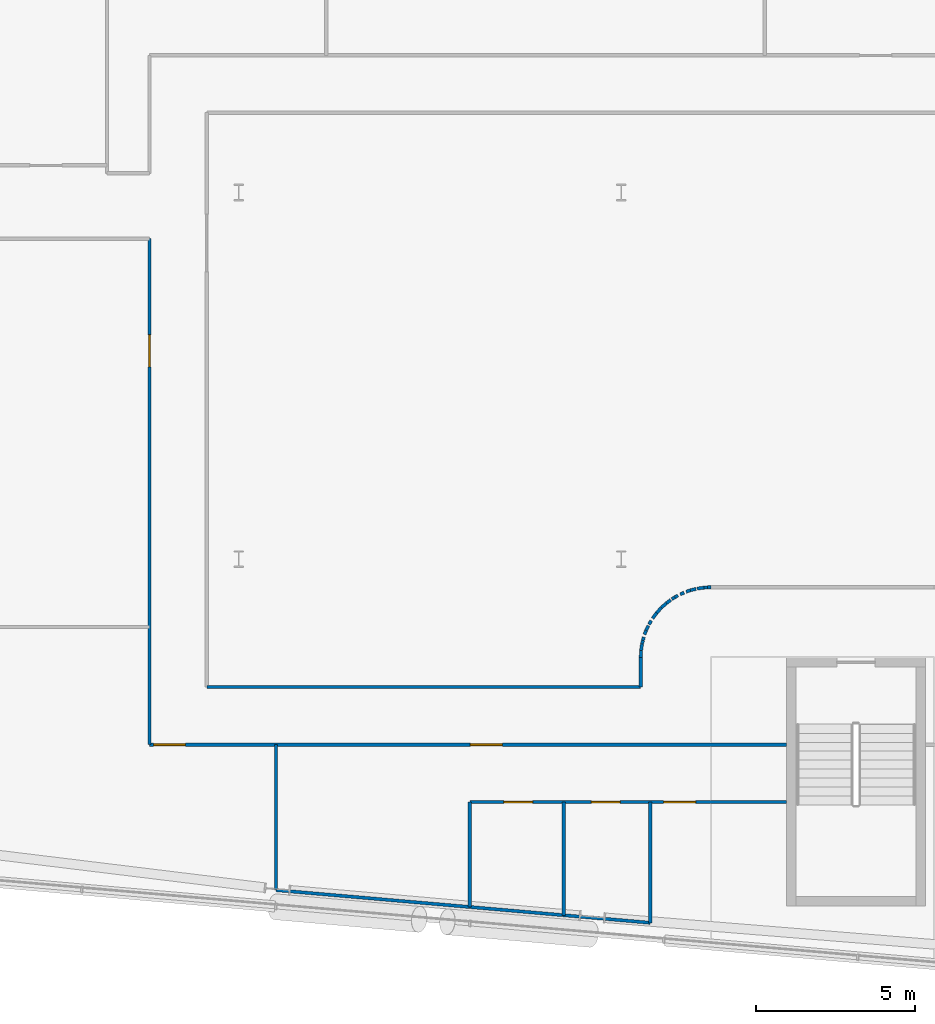
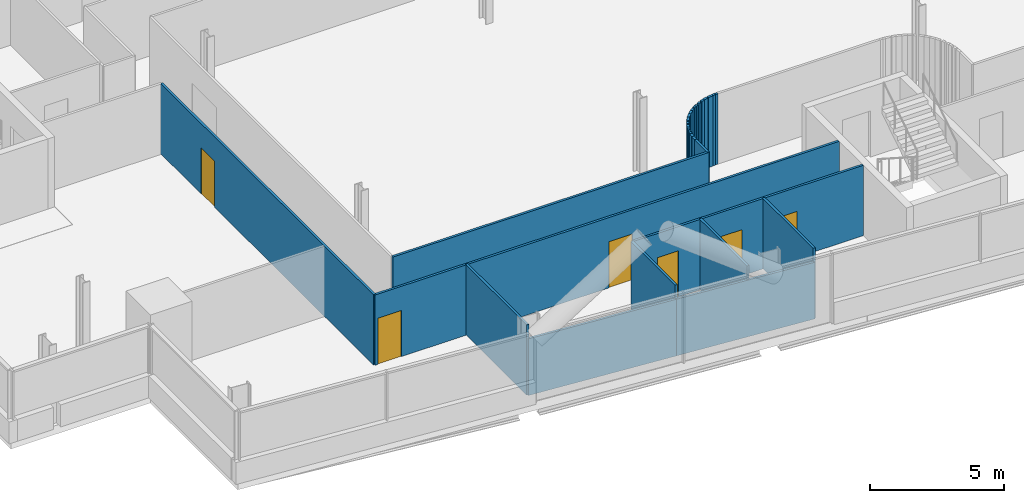
# One storey, part 14 of 30: 30 walls, 6 doors, 6 openings.
"""IFC4 building model written with IfcOpenShell, lengths in metres."""

import ifcopenshell
import ifcopenshell.guid

model = None  # the IFC model being written
_history = None  # IfcOwnerHistory: only IFC2X3 demands one
_inside = {}  # id of a spatial element -> (the spatial element, [elements in it])
_under = {}  # id of a project, library or spatial element -> (it, [spatial elements below it])
_declared = {}  # id of a project -> (the project, [libraries it declares])
_typed = {}  # id of a type object -> (the type object, [elements of that type])
_made_of = {}  # id of a material, layer set ... -> (it, [elements and type objects made of it])


def new_model(schema):
    """Start an empty IFC model of exactly this schema.

    Asked for "IFC4X3", IfcOpenShell would pick the latest addendum, in which some entities
    have other attributes; the version numbers below select the first issue.
    IFC2X3 requires an IfcOwnerHistory on every rooted entity: one is made here for all.
    """
    global model, _history
    if schema == "IFC4X3":
        model = ifcopenshell.file(schema_version=(4, 3, 0, 0))
    else:
        model = ifcopenshell.file(schema=schema)
    _inside.clear()
    _under.clear()
    _declared.clear()
    _typed.clear()
    _made_of.clear()
    _history = None
    if model.schema == "IFC2X3":
        org = make("IfcOrganization", Name="unknown")
        user = make(
            "IfcPersonAndOrganization",
            ThePerson=make("IfcPerson", FamilyName="unknown"),
            TheOrganization=org,
        )
        app = make(
            "IfcApplication",
            ApplicationDeveloper=org,
            Version="unknown",
            ApplicationFullName="unknown",
            ApplicationIdentifier="unknown",
        )
        _history = make(
            "IfcOwnerHistory",
            OwningUser=user,
            OwningApplication=app,
            ChangeAction="ADDED",
            CreationDate=0,
        )
    return model


def make(cls, **values):
    """One entity of the class cls with the attributes given. An attribute that is None is left unset."""
    return model.create_entity(
        cls, **{name: value for name, value in values.items() if value is not None}
    )


def rooted(cls, **values):
    """An entity with a GlobalId (a new one), such as an element, a storey or a relation."""
    return make(cls, GlobalId=ifcopenshell.guid.new(), OwnerHistory=_history, **values)


def si_unit(unit_type, name, prefix=None):
    """IfcSIUnit, for example si_unit("LENGTHUNIT", "METRE", prefix="MILLI")."""
    return make("IfcSIUnit", UnitType=unit_type, Prefix=prefix, Name=name)


def assignment(units):
    """IfcUnitAssignment: the units of a project."""
    return None if units is None else make("IfcUnitAssignment", Units=units)


def point(xyz):
    """IfcCartesianPoint."""
    return None if xyz is None else make("IfcCartesianPoint", Coordinates=xyz)


def direction(xyz):
    """IfcDirection."""
    return None if xyz is None else make("IfcDirection", DirectionRatios=xyz)


def frame(location, z_axis=None, x_axis=None):
    """IfcAxis2Placement3D, a coordinate frame: its origin and axes. An axis left out is left unset."""
    return make(
        "IfcAxis2Placement3D",
        Location=point(location),
        Axis=direction(z_axis),
        RefDirection=direction(x_axis),
    )


def frame_2d(location, x_axis=None):
    """IfcAxis2Placement2D, a coordinate frame in the plane: its origin and x axis."""
    return make(
        "IfcAxis2Placement2D", Location=point(location), RefDirection=direction(x_axis)
    )


def origin():
    """The frame at (0, 0, 0) with its axes left unset."""
    return frame((0.0, 0.0, 0.0))


def place(relative_to, where):
    """IfcLocalPlacement: puts the frame where relative to a parent placement (None: the world)."""
    return make(
        "IfcLocalPlacement", PlacementRelTo=relative_to, RelativePlacement=where
    )


def context(
    kind, dimensions, precision=None, world=None, true_north=None, identifier=None
):
    """IfcGeometricRepresentationContext, for example the 3D "Model" context."""
    return make(
        "IfcGeometricRepresentationContext",
        ContextIdentifier=identifier,
        ContextType=kind,
        CoordinateSpaceDimension=dimensions,
        Precision=precision,
        WorldCoordinateSystem=world,
        TrueNorth=true_north,
    )


def subcontext(parent, identifier, kind, view, scale=None):
    """IfcGeometricRepresentationSubContext, for example "Body" below "Model"."""
    return make(
        "IfcGeometricRepresentationSubContext",
        ContextIdentifier=identifier,
        ContextType=kind,
        ParentContext=parent,
        TargetScale=scale,
        TargetView=view,
    )


def project(units=None, contexts=None):
    """IfcProject with its units and contexts."""
    return rooted(
        "IfcProject",
        Name="project",
        RepresentationContexts=contexts,
        UnitsInContext=assignment(units),
    )


def spatial(cls, under=None, at=None, **own):
    """A site, building, storey or space (cls), placed at a placement, below another one or the project."""
    s = rooted(cls, ObjectPlacement=at, **own)
    if under is not None:
        _under.setdefault(under.id(), (under, []))[1].append(s)
    return s


def profile(cls, at=None, kind="AREA", **sizes):
    """A parametric profile (cls). Its sizes go by their IFC names, for example OverallWidth=200.0."""
    return make(cls, ProfileType=kind, Position=at, **sizes)


def rectangle(**sizes):
    """IfcRectangleProfileDef."""
    return profile("IfcRectangleProfileDef", **sizes)


def extrude(swept, where, along, depth):
    """IfcExtrudedAreaSolid: the profile swept, set in the frame where, extruded along a direction by depth."""
    return make(
        "IfcExtrudedAreaSolid",
        SweptArea=swept,
        Position=where,
        ExtrudedDirection=direction(along),
        Depth=depth,
    )


def shape(context_of_items, identifier, shape_type, items):
    """IfcShapeRepresentation: the items that make up one representation, for example the "Body"."""
    return make(
        "IfcShapeRepresentation",
        ContextOfItems=context_of_items,
        RepresentationIdentifier=identifier,
        RepresentationType=shape_type,
        Items=items,
    )


def material(Name=None, Category=None):
    """IfcMaterial."""
    return make("IfcMaterial", Name=Name, Category=Category)


def layer(
    of_material, thickness, ventilated=None, Name=None, Category=None, Priority=None
):
    """IfcMaterialLayer: one layer of a wall or slab, of a material (None: an air gap)."""
    return make(
        "IfcMaterialLayer",
        Material=of_material,
        LayerThickness=thickness,
        IsVentilated=ventilated,
        Name=Name,
        Category=Category,
        Priority=Priority,
    )


def layer_set(layers, Name=None):
    """IfcMaterialLayerSet."""
    return make("IfcMaterialLayerSet", MaterialLayers=layers, LayerSetName=Name)


def made_of(thing, what):
    """Note that an element or type object is made of a material, layer set ...; save() writes the relation."""
    if what is not None:
        _made_of.setdefault(what.id(), (what, []))[1].append(thing)
    return thing


def type_object(cls, material=None, **own):
    """A type object (cls), such as IfcWallType, which elements share."""
    return made_of(rooted(cls, **own), material)


def element(
    cls,
    number,
    at=None,
    inside=None,
    cuts=None,
    type_object=None,
    material=None,
    context=None,
    identifier="Body",
    shape_type=None,
    held_by="IfcProductDefinitionShape",
    body=None,
    shapes=None,
    **own,
):
    """One element of the class cls, such as IfcWall. Its Tag is "e" and its number.

    at: its placement. inside: the storey or other place that contains it. cuts: it is an
    opening in that element (IfcRelVoidsElement). A single representation is given by context,
    identifier, shape_type and body (its items); several are given by shapes. held_by: the class
    of the entity that holds the representations. save() writes the other relations.
    """
    e = rooted(cls, Tag="e%d" % number, ObjectPlacement=at, **own)
    if body is not None:
        shapes = [shape(context, identifier, shape_type, body)]
    if shapes is not None:
        e.Representation = make(held_by, Representations=shapes)
    if inside is not None:
        _inside.setdefault(inside.id(), (inside, []))[1].append(e)
    if cuts is not None:
        rooted(
            "IfcRelVoidsElement", RelatingBuildingElement=cuts, RelatedOpeningElement=e
        )
    if type_object is not None:
        _typed.setdefault(type_object.id(), (type_object, []))[1].append(e)
    return made_of(e, material)


def fill(opening, filler):
    """IfcRelFillsElement: the door or window that sits in an opening."""
    return rooted(
        "IfcRelFillsElement",
        RelatingOpeningElement=opening,
        RelatedBuildingElement=filler,
    )


def aggregate(whole, parts):
    """IfcRelAggregates: a whole, such as a stair, and the parts it consists of."""
    return rooted("IfcRelAggregates", RelatingObject=whole, RelatedObjects=parts)


def save(model, path):
    """Write the relations noted so far, then the file.

    IfcRelAggregates (storeys below a building ...), IfcRelContainedInSpatialStructure (elements
    in a storey), IfcRelDefinesByType, IfcRelAssociatesMaterial and IfcRelDeclares: one each for
    every whole, place, type object, material and project.
    """
    for whole, parts in _under.values():
        aggregate(whole, parts)
    for where, things in _inside.values():
        rooted(
            "IfcRelContainedInSpatialStructure",
            RelatedElements=things,
            RelatingStructure=where,
        )
    for kind, things in _typed.values():
        rooted("IfcRelDefinesByType", RelatedObjects=things, RelatingType=kind)
    for what, things in _made_of.values():
        rooted("IfcRelAssociatesMaterial", RelatedObjects=things, RelatingMaterial=what)
    for by, libraries in _declared.values():
        rooted("IfcRelDeclares", RelatingContext=by, RelatedDefinitions=libraries)
    model.write(path)


model = new_model("IFC4")

# Units and contexts
model_context = context("Model", 3, precision=1e-05, world=origin(), true_north=direction((0.0, 1.0)))
body_context = subcontext(model_context, "Body", "Model", "MODEL_VIEW")
ifc_project = project(units=[si_unit("LENGTHUNIT", "METRE"), si_unit("AREAUNIT", "SQUARE_METRE"), si_unit("VOLUMEUNIT", "CUBIC_METRE"), si_unit("PLANEANGLEUNIT", "RADIAN"), si_unit("MASSUNIT", "GRAM", prefix="KILO")], contexts=[model_context])

# Site, building, storey
site_placement = place(None, origin())
site = spatial("IfcSite", under=ifc_project, at=site_placement, CompositionType="ELEMENT")
building_placement = place(site_placement, origin())
building = spatial("IfcBuilding", under=site, at=building_placement, Name="Wharfspan Tower", CompositionType="ELEMENT")
storey_placement = place(building_placement, frame((0.0, 0.0, 107.5)))
storey = spatial("IfcBuildingStorey", under=building, at=storey_placement, Name="L24", CompositionType="ELEMENT", Elevation=107.5)

# Wall, opening, door
ifc_material_1 = material(Name="Gypsum board on steel studs", Category="steel")
ifc_layer_1 = layer(ifc_material_1, 0.100098)
ifc_layer_set_1 = layer_set([ifc_layer_1], Name="Gypsum board on steel studs")
wall_type_1 = type_object("IfcWallType", Name="Compartment wall 100 EI 60", PredefinedType="PARTITIONING", material=ifc_layer_set_1)
wall_1_placement = place(storey_placement, frame((21.199951, 5.679932, 0.0), z_axis=(0.0, 0.0, 1.0), x_axis=(0.0, 1.0, 0.0)))
wall_1 = element("IfcWall", 1, at=wall_1_placement, inside=storey, type_object=wall_type_1, Name="Partition L24.w010", PredefinedType="PARTITIONING", context=body_context, shape_type="SweptSolid", body=[
    extrude(rectangle(XDim=15.870117, YDim=0.100098, at=frame_2d((7.935059, 0.0))), origin(), (0.0, 0.0, 1.0), 3.199951),
])
opening_1_placement = place(wall_1_placement, frame((11.850098, 0.0, 0.0)))
opening_1 = element("IfcOpeningElement", 2, at=opening_1_placement, cuts=wall_1, Name="Opening B2-11", PredefinedType="OPENING", context=body_context, shape_type="SweptSolid", body=[
    extrude(rectangle(XDim=1.0, YDim=2.100098, at=frame_2d((0.5, 1.050049))), frame((0.0, 0.060059, 0.0), z_axis=(0.0, -1.0, 0.0), x_axis=(1.0, 0.0, 0.0)), (0.0, 0.0, 1.0), 0.120117),
])
ifc_material_2 = material(Name="Fire-rated timber door leaf in steel frame", Category="steel")
door_type_1 = type_object("IfcDoorType", Name="Door 1000 FD30S Right", OperationType="SINGLE_SWING_RIGHT", PredefinedType="DOOR", material=ifc_material_2)
door_1_placement = place(opening_1_placement, origin())
door_1 = element("IfcDoor", 3, at=door_1_placement, inside=storey, type_object=door_type_1, Name="Door B2-11", OperationType="SINGLE_SWING_RIGHT", OverallHeight=2.100098, OverallWidth=1.0, PredefinedType="DOOR", context=body_context, shape_type="SweptSolid", body=[
    extrude(rectangle(XDim=1.0, YDim=2.100098, at=frame_2d((0.5, 1.050049))), frame((0.0, 0.024902, 0.0), z_axis=(0.0, -1.0, 0.0), x_axis=(1.0, 0.0, 0.0)), (0.0, 0.0, 1.0), 0.050049),
])
fill(opening_1, door_1)

# Wall, openings, doors
wall_2_placement = place(storey_placement, frame((21.199951, 5.679932, 0.0), z_axis=(0.0, 0.0, 1.0), x_axis=(1.0, 0.0, 0.0)))
wall_2 = element("IfcWall", 4, at=wall_2_placement, inside=storey, type_object=wall_type_1, Name="Partition L24.w011", PredefinedType="PARTITIONING", context=body_context, shape_type="SweptSolid", body=[
    extrude(rectangle(XDim=19.985352, YDim=0.100098, at=frame_2d((9.992676, 0.0))), origin(), (0.0, 0.0, 1.0), 3.199951),
])
opening_2_placement = place(wall_2_placement, frame((0.129883, 0.0, 0.0)))
opening_2 = element("IfcOpeningElement", 5, at=opening_2_placement, cuts=wall_2, Name="Opening B2-04", PredefinedType="OPENING", context=body_context, shape_type="SweptSolid", body=[
    extrude(rectangle(XDim=1.0, YDim=2.100098, at=frame_2d((0.5, 1.050049))), frame((0.0, 0.060059, 0.0), z_axis=(0.0, -1.0, 0.0), x_axis=(1.0, 0.0, 0.0)), (0.0, 0.0, 1.0), 0.120117),
])
opening_3_placement = place(wall_2_placement, frame((10.070068, 0.0, 0.0)))
opening_3 = element("IfcOpeningElement", 6, at=opening_3_placement, cuts=wall_2, Name="Opening B2-05", PredefinedType="OPENING", context=body_context, shape_type="SweptSolid", body=[
    extrude(rectangle(XDim=1.0, YDim=2.100098, at=frame_2d((0.5, 1.050049))), frame((0.0, 0.060059, 0.0), z_axis=(0.0, -1.0, 0.0), x_axis=(1.0, 0.0, 0.0)), (0.0, 0.0, 1.0), 0.120117),
])
door_type_2 = type_object("IfcDoorType", Name="Door 1000 FD30S Left", OperationType="SINGLE_SWING_LEFT", PredefinedType="DOOR", material=ifc_material_2)
door_2_placement = place(opening_2_placement, origin())
door_2 = element("IfcDoor", 7, at=door_2_placement, inside=storey, type_object=door_type_2, Name="Door B2-04", OperationType="SINGLE_SWING_LEFT", OverallHeight=2.100098, OverallWidth=1.0, PredefinedType="DOOR", context=body_context, shape_type="SweptSolid", body=[
    extrude(rectangle(XDim=1.0, YDim=2.100098, at=frame_2d((0.5, 1.050049))), frame((0.0, 0.024902, 0.0), z_axis=(0.0, -1.0, 0.0), x_axis=(1.0, 0.0, 0.0)), (0.0, 0.0, 1.0), 0.050049),
])
fill(opening_2, door_2)
door_3_placement = place(opening_3_placement, origin())
door_3 = element("IfcDoor", 8, at=door_3_placement, inside=storey, type_object=door_type_1, Name="Door B2-05", OperationType="SINGLE_SWING_RIGHT", OverallHeight=2.100098, OverallWidth=1.0, PredefinedType="DOOR", context=body_context, shape_type="SweptSolid", body=[
    extrude(rectangle(XDim=1.0, YDim=2.100098, at=frame_2d((0.5, 1.050049))), frame((0.0, 0.024902, 0.0), z_axis=(0.0, -1.0, 0.0), x_axis=(1.0, 0.0, 0.0)), (0.0, 0.0, 1.0), 0.050049),
])
fill(opening_3, door_3)

# Walls
wall_3_placement = place(storey_placement, frame((23.0, 7.485107, 0.0), z_axis=(0.0, 0.0, 1.0), x_axis=(1.0, 0.0, 0.0)))
element("IfcWall", 9, at=wall_3_placement, inside=storey, type_object=wall_type_1, Name="Partition L24.w015", PredefinedType="PARTITIONING", context=body_context, shape_type="SweptSolid", body=[
    extrude(rectangle(XDim=13.610107, YDim=0.100098, at=frame_2d((6.805176, 0.0))), origin(), (0.0, 0.0, 1.0), 3.199951),
])
wall_4_placement = place(storey_placement, frame((25.169922, 1.120117, 0.0), z_axis=(0.0, 0.0, 1.0), x_axis=(0.0, 1.0, 0.0)))
element("IfcWall", 10, at=wall_4_placement, inside=storey, type_object=wall_type_1, Name="Partition L24.w017", PredefinedType="PARTITIONING", context=body_context, shape_type="SweptSolid", body=[
    extrude(rectangle(XDim=4.559814, YDim=0.100098, at=frame_2d((2.279785, 0.0))), origin(), (0.0, 0.0, 1.0), 3.199951),
])
wall_5_placement = place(storey_placement, frame((36.610107, 7.485107, 0.0), z_axis=(0.0, 0.0, 1.0), x_axis=(0.0, 1.0, 0.0)))
element("IfcWall", 11, at=wall_5_placement, inside=storey, type_object=wall_type_1, Name="Partition L24.w024", PredefinedType="PARTITIONING", context=body_context, shape_type="SweptSolid", body=[
    extrude(rectangle(XDim=0.929932, YDim=0.100098, at=frame_2d((0.464844, 0.0))), origin(), (0.0, 0.0, 1.0), 3.199951),
])
wall_6_placement = place(storey_placement, frame((36.610107, 8.415039, 0.0), z_axis=(0.0, 0.0, 1.0), x_axis=(0.045458, 0.998967, 0.0)))
element("IfcWall", 12, at=wall_6_placement, inside=storey, type_object=wall_type_1, Name="Partition L24.w025", PredefinedType="PARTITIONING", context=body_context, shape_type="SweptSolid", body=[
    extrude(rectangle(XDim=0.220215, YDim=0.100098, at=frame_2d((0.110107, 0.0))), origin(), (0.0, 0.0, 1.0), 3.199951),
])
wall_7_placement = place(storey_placement, frame((36.620117, 8.63501, 0.0), z_axis=(0.0, 0.0, 1.0), x_axis=(0.140454, 0.990086, 0.0)))
element("IfcWall", 13, at=wall_7_placement, inside=storey, type_object=wall_type_1, Name="Partition L24.w026", PredefinedType="PARTITIONING", context=body_context, shape_type="SweptSolid", body=[
    extrude(rectangle(XDim=0.212158, YDim=0.100098, at=frame_2d((0.105957, 0.0))), origin(), (0.0, 0.0, 1.0), 3.199951),
])
wall_8_placement = place(storey_placement, frame((36.649902, 8.844971, 0.0), z_axis=(0.0, 0.0, 1.0), x_axis=(0.275016, 0.961438, 0.0)))
element("IfcWall", 14, at=wall_8_placement, inside=storey, type_object=wall_type_1, Name="Partition L24.w027", PredefinedType="PARTITIONING", context=body_context, shape_type="SweptSolid", body=[
    extrude(rectangle(XDim=0.109131, YDim=0.100098, at=frame_2d((0.054688, 0.0))), origin(), (0.0, 0.0, 1.0), 3.199951),
])
wall_9_placement = place(storey_placement, frame((36.679932, 8.949951, 0.0), z_axis=(0.0, 0.0, 1.0), x_axis=(0.232946, 0.972493, 0.0)))
element("IfcWall", 15, at=wall_9_placement, inside=storey, type_object=wall_type_1, Name="Partition L24.w028", PredefinedType="PARTITIONING", context=body_context, shape_type="SweptSolid", body=[
    extrude(rectangle(XDim=0.10791, YDim=0.100098, at=frame_2d((0.053955, 0.0))), origin(), (0.0, 0.0, 1.0), 3.199951),
])
wall_10_placement = place(storey_placement, frame((36.72998, 9.13501, 0.0), z_axis=(0.0, 0.0, 1.0), x_axis=(0.3382, 0.941078, 0.0)))
element("IfcWall", 16, at=wall_10_placement, inside=storey, type_object=wall_type_1, Name="Partition L24.w029", PredefinedType="PARTITIONING", context=body_context, shape_type="SweptSolid", body=[
    extrude(rectangle(XDim=0.132812, YDim=0.100098, at=frame_2d((0.066406, 0.0))), origin(), (0.0, 0.0, 1.0), 3.199951),
])
wall_11_placement = place(storey_placement, frame((36.774902, 9.26001, 0.0), z_axis=(0.0, 0.0, 1.0), x_axis=(0.44838, 0.893848, 0.0)))
element("IfcWall", 17, at=wall_11_placement, inside=storey, type_object=wall_type_1, Name="Partition L24.w030", PredefinedType="PARTITIONING", context=body_context, shape_type="SweptSolid", body=[
    extrude(rectangle(XDim=0.167725, YDim=0.100098, at=frame_2d((0.083984, 0.0))), origin(), (0.0, 0.0, 1.0), 3.199951),
])
wall_12_placement = place(storey_placement, frame((36.870117, 9.455078, 0.0), z_axis=(0.0, 0.0, 1.0), x_axis=(0.519025, 0.854758, 0.0)))
element("IfcWall", 18, at=wall_12_placement, inside=storey, type_object=wall_type_1, Name="Partition L24.w031", PredefinedType="PARTITIONING", context=body_context, shape_type="SweptSolid", body=[
    extrude(rectangle(XDim=0.134521, YDim=0.100098, at=frame_2d((0.067383, 0.0))), origin(), (0.0, 0.0, 1.0), 3.199951),
])
wall_13_placement = place(storey_placement, frame((36.97998, 9.639893, 0.0), z_axis=(0.0, 0.0, 1.0), x_axis=(0.596595, 0.802549, 0.0)))
element("IfcWall", 19, at=wall_13_placement, inside=storey, type_object=wall_type_1, Name="Partition L24.w034", PredefinedType="PARTITIONING", context=body_context, shape_type="SweptSolid", body=[
    extrude(rectangle(XDim=0.218018, YDim=0.100098, at=frame_2d((0.108887, 0.0))), origin(), (0.0, 0.0, 1.0), 3.199951),
])
wall_14_placement = place(storey_placement, frame((37.110107, 9.814941, 0.0), z_axis=(0.0, 0.0, 1.0), x_axis=(0.670589, 0.741832, 0.0)))
element("IfcWall", 20, at=wall_14_placement, inside=storey, type_object=wall_type_1, Name="Partition L24.w035", PredefinedType="PARTITIONING", context=body_context, shape_type="SweptSolid", body=[
    extrude(rectangle(XDim=0.21582, YDim=0.100098, at=frame_2d((0.10791, 0.0))), origin(), (0.0, 0.0, 1.0), 3.199951),
])
wall_15_placement = place(storey_placement, frame((37.254883, 9.975098, 0.0), z_axis=(0.0, 0.0, 1.0), x_axis=(0.741269, 0.67121, 0.0)))
element("IfcWall", 21, at=wall_15_placement, inside=storey, type_object=wall_type_1, Name="Partition L24.w036", PredefinedType="PARTITIONING", context=body_context, shape_type="SweptSolid", body=[
    extrude(rectangle(XDim=0.216064, YDim=0.100098, at=frame_2d((0.10791, 0.0))), origin(), (0.0, 0.0, 1.0), 3.199951),
])
wall_16_placement = place(storey_placement, frame((37.415039, 10.120117, 0.0), z_axis=(0.0, 0.0, 1.0), x_axis=(0.803993, 0.594635, 0.0)))
element("IfcWall", 22, at=wall_16_placement, inside=storey, type_object=wall_type_1, Name="Partition L24.w037", PredefinedType="PARTITIONING", context=body_context, shape_type="SweptSolid", body=[
    extrude(rectangle(XDim=0.167969, YDim=0.100098, at=frame_2d((0.083984, 0.0))), origin(), (0.0, 0.0, 1.0), 3.199951),
])
wall_17_placement = place(storey_placement, frame((37.584961, 10.245117, 0.0), z_axis=(0.0, 0.0, 1.0), x_axis=(0.846156, 0.532926, 0.0)))
element("IfcWall", 23, at=wall_17_placement, inside=storey, type_object=wall_type_1, Name="Partition L24.w038", PredefinedType="PARTITIONING", context=body_context, shape_type="SweptSolid", body=[
    extrude(rectangle(XDim=0.112305, YDim=0.100098, at=frame_2d((0.056152, 0.0))), origin(), (0.0, 0.0, 1.0), 3.199951),
])
wall_18_placement = place(storey_placement, frame((37.679932, 10.304932, 0.0), z_axis=(0.0, 0.0, 1.0), x_axis=(0.864661, 0.502348, 0.0)))
element("IfcWall", 24, at=wall_18_placement, inside=storey, type_object=wall_type_1, Name="Partition L24.w039", PredefinedType="PARTITIONING", context=body_context, shape_type="SweptSolid", body=[
    extrude(rectangle(XDim=0.109863, YDim=0.100098, at=frame_2d((0.054932, 0.0))), origin(), (0.0, 0.0, 1.0), 3.199951),
])
wall_19_placement = place(storey_placement, frame((37.850098, 10.39502, 0.0), z_axis=(0.0, 0.0, 1.0), x_axis=(0.909092, 0.41659, 0.0)))
element("IfcWall", 25, at=wall_19_placement, inside=storey, type_object=wall_type_1, Name="Partition L24.w040", PredefinedType="PARTITIONING", context=body_context, shape_type="SweptSolid", body=[
    extrude(rectangle(XDim=0.131836, YDim=0.100098, at=frame_2d((0.065918, 0.0))), origin(), (0.0, 0.0, 1.0), 3.199951),
])
wall_20_placement = place(storey_placement, frame((38.034912, 10.475098, 0.0), z_axis=(0.0, 0.0, 1.0), x_axis=(0.938197, 0.346098, 0.0)))
element("IfcWall", 26, at=wall_20_placement, inside=storey, type_object=wall_type_1, Name="Partition L24.w041", PredefinedType="PARTITIONING", context=body_context, shape_type="SweptSolid", body=[
    extrude(rectangle(XDim=0.143799, YDim=0.100098, at=frame_2d((0.071777, 0.0))), origin(), (0.0, 0.0, 1.0), 3.199951),
])
wall_21_placement = place(storey_placement, frame((38.169922, 10.524902, 0.0), z_axis=(0.0, 0.0, 1.0), x_axis=(0.974827, 0.222973, 0.0)))
element("IfcWall", 27, at=wall_21_placement, inside=storey, type_object=wall_type_1, Name="Partition L24.w042", PredefinedType="PARTITIONING", context=body_context, shape_type="SweptSolid", body=[
    extrude(rectangle(XDim=0.179688, YDim=0.100098, at=frame_2d((0.089844, 0.0))), origin(), (0.0, 0.0, 1.0), 3.199951),
])
wall_22_placement = place(storey_placement, frame((38.379883, 10.574951, 0.0), z_axis=(0.0, 0.0, 1.0), x_axis=(0.990394, 0.138273, 0.0)))
element("IfcWall", 28, at=wall_22_placement, inside=storey, type_object=wall_type_1, Name="Partition L24.w043", PredefinedType="PARTITIONING", context=body_context, shape_type="SweptSolid", body=[
    extrude(rectangle(XDim=0.217285, YDim=0.100098, at=frame_2d((0.108643, 0.0))), origin(), (0.0, 0.0, 1.0), 3.199951),
])
wall_23_placement = place(storey_placement, frame((38.594971, 10.60498, 0.0), z_axis=(0.0, 0.0, 1.0), x_axis=(0.996234, 0.086721, 0.0)))
element("IfcWall", 29, at=wall_23_placement, inside=storey, type_object=wall_type_1, Name="Partition L24.w044", PredefinedType="PARTITIONING", context=body_context, shape_type="SweptSolid", body=[
    extrude(rectangle(XDim=0.115479, YDim=0.100098, at=frame_2d((0.057617, 0.0))), origin(), (0.0, 0.0, 1.0), 3.199951),
])
wall_24_placement = place(storey_placement, frame((38.709961, 10.61499, 0.0), z_axis=(0.0, 0.0, 1.0), x_axis=(0.998687, 0.051152, 0.0)))
element("IfcWall", 30, at=wall_24_placement, inside=storey, type_object=wall_type_1, Name="Partition L24.w045", PredefinedType="PARTITIONING", context=body_context, shape_type="SweptSolid", body=[
    extrude(rectangle(XDim=0.100342, YDim=0.100098, at=frame_2d((0.050293, 0.0))), origin(), (0.0, 0.0, 1.0), 3.199951),
])
ifc_layer_2 = layer(ifc_material_1, 0.100098)
ifc_layer_set_2 = layer_set([ifc_layer_2], Name="Gypsum board on steel studs")
wall_type_2 = type_object("IfcWallType", Name="Partition 100", PredefinedType="PARTITIONING", material=ifc_layer_set_2)
wall_25_placement = place(storey_placement, frame((31.25, 0.590088, 0.0), z_axis=(0.0, 0.0, 1.0), x_axis=(-0.996218, 0.086845, 0.0)))
element("IfcWall", 31, at=wall_25_placement, inside=storey, type_object=wall_type_2, Name="Partition L24.w019", PredefinedType="PARTITIONING", context=body_context, shape_type="SweptSolid", body=[
    extrude(rectangle(XDim=6.103027, YDim=0.100098, at=frame_2d((3.051514, 0.0))), origin(), (0.0, 0.0, 1.0), 2.580078),
])
wall_26_placement = place(storey_placement, frame((31.25, 0.590088, 0.0), z_axis=(0.0, 0.0, 1.0), x_axis=(0.0, 1.0, 0.0)))
element("IfcWall", 32, at=wall_26_placement, inside=storey, type_object=wall_type_2, Name="Partition L24.w020", PredefinedType="PARTITIONING", context=body_context, shape_type="SweptSolid", body=[
    extrude(rectangle(XDim=3.289795, YDim=0.100098, at=frame_2d((1.64502, 0.0))), origin(), (0.0, 0.0, 1.0), 3.199951),
])

# Wall, openings, doors
wall_27_placement = place(storey_placement, frame((31.25, 3.879883, 0.0), z_axis=(0.0, 0.0, 1.0), x_axis=(1.0, 0.0, 0.0)))
wall_27 = element("IfcWall", 33, at=wall_27_placement, inside=storey, type_object=wall_type_2, Name="Partition L24.w021", PredefinedType="PARTITIONING", context=body_context, shape_type="SweptSolid", body=[
    extrude(rectangle(XDim=9.935303, YDim=0.100098, at=frame_2d((4.967773, 0.0))), origin(), (0.0, 0.0, 1.0), 3.199951),
])
opening_4_placement = place(wall_27_placement, frame((1.070801, 0.0, 0.0)))
opening_4 = element("IfcOpeningElement", 34, at=opening_4_placement, cuts=wall_27, Name="Opening B2-01", PredefinedType="OPENING", context=body_context, shape_type="SweptSolid", body=[
    extrude(rectangle(XDim=0.899902, YDim=2.100098, at=frame_2d((0.449951, 1.050049))), frame((0.0, 0.060059, 0.0), z_axis=(0.0, -1.0, 0.0), x_axis=(1.0, 0.0, 0.0)), (0.0, 0.0, 1.0), 0.120117),
])
opening_5_placement = place(wall_27_placement, frame((3.815674, 0.0, 0.0)))
opening_5 = element("IfcOpeningElement", 35, at=opening_5_placement, cuts=wall_27, Name="Opening B2-02", PredefinedType="OPENING", context=body_context, shape_type="SweptSolid", body=[
    extrude(rectangle(XDim=0.899902, YDim=2.100098, at=frame_2d((0.449951, 1.050049))), frame((0.0, 0.060059, 0.0), z_axis=(0.0, -1.0, 0.0), x_axis=(1.0, 0.0, 0.0)), (0.0, 0.0, 1.0), 0.120117),
])
opening_6_placement = place(wall_27_placement, frame((6.080811, 0.0, 0.0)))
opening_6 = element("IfcOpeningElement", 36, at=opening_6_placement, cuts=wall_27, Name="Opening B2-03", PredefinedType="OPENING", context=body_context, shape_type="SweptSolid", body=[
    extrude(rectangle(XDim=1.0, YDim=2.100098, at=frame_2d((0.5, 1.050049))), frame((0.0, 0.060059, 0.0), z_axis=(0.0, -1.0, 0.0), x_axis=(1.0, 0.0, 0.0)), (0.0, 0.0, 1.0), 0.120117),
])
ifc_material_3 = material(Name="Timber door leaf in steel frame", Category="steel")
door_type_3 = type_object("IfcDoorType", Name="Door 1000 NOT RATED Right", OperationType="SINGLE_SWING_RIGHT", PredefinedType="DOOR", material=ifc_material_3)
door_4_placement = place(opening_6_placement, origin())
door_4 = element("IfcDoor", 37, at=door_4_placement, inside=storey, type_object=door_type_3, Name="Door B2-03", OperationType="SINGLE_SWING_RIGHT", OverallHeight=2.100098, OverallWidth=1.0, PredefinedType="DOOR", context=body_context, shape_type="SweptSolid", body=[
    extrude(rectangle(XDim=1.0, YDim=2.100098, at=frame_2d((0.5, 1.050049))), frame((0.0, 0.024902, 0.0), z_axis=(0.0, -1.0, 0.0), x_axis=(1.0, 0.0, 0.0)), (0.0, 0.0, 1.0), 0.050049),
])
fill(opening_6, door_4)
door_type_4 = type_object("IfcDoorType", Name="Door 900 NOT RATED Left", OperationType="SINGLE_SWING_LEFT", PredefinedType="DOOR", material=ifc_material_3)
door_5_placement = place(opening_4_placement, origin())
door_5 = element("IfcDoor", 38, at=door_5_placement, inside=storey, type_object=door_type_4, Name="Door B2-01", OperationType="SINGLE_SWING_LEFT", OverallHeight=2.100098, OverallWidth=0.899902, PredefinedType="DOOR", context=body_context, shape_type="SweptSolid", body=[
    extrude(rectangle(XDim=0.899902, YDim=2.100098, at=frame_2d((0.449951, 1.050049))), frame((0.0, 0.024902, 0.0), z_axis=(0.0, -1.0, 0.0), x_axis=(1.0, 0.0, 0.0)), (0.0, 0.0, 1.0), 0.050049),
])
fill(opening_4, door_5)
door_6_placement = place(opening_5_placement, origin())
door_6 = element("IfcDoor", 39, at=door_6_placement, inside=storey, type_object=door_type_4, Name="Door B2-02", OperationType="SINGLE_SWING_LEFT", OverallHeight=2.100098, OverallWidth=0.899902, PredefinedType="DOOR", context=body_context, shape_type="SweptSolid", body=[
    extrude(rectangle(XDim=0.899902, YDim=2.100098, at=frame_2d((0.449951, 1.050049))), frame((0.0, 0.024902, 0.0), z_axis=(0.0, -1.0, 0.0), x_axis=(1.0, 0.0, 0.0)), (0.0, 0.0, 1.0), 0.050049),
])
fill(opening_5, door_6)

# Walls
wall_28_placement = place(storey_placement, frame((34.195068, 0.330078, 0.0), z_axis=(0.0, 0.0, 1.0), x_axis=(0.0, 1.0, 0.0)))
element("IfcWall", 40, at=wall_28_placement, inside=storey, type_object=wall_type_2, Name="Partition L24.w022", PredefinedType="PARTITIONING", context=body_context, shape_type="SweptSolid", body=[
    extrude(rectangle(XDim=3.549805, YDim=0.100098, at=frame_2d((1.774902, 0.0))), origin(), (0.0, 0.0, 1.0), 3.199951),
])
wall_29_placement = place(storey_placement, frame((36.909912, 0.094971, 0.0), z_axis=(0.0, 0.0, 1.0), x_axis=(0.0, 1.0, 0.0)))
element("IfcWall", 41, at=wall_29_placement, inside=storey, type_object=wall_type_2, Name="Partition L24.w032", PredefinedType="PARTITIONING", context=body_context, shape_type="SweptSolid", body=[
    extrude(rectangle(XDim=3.784912, YDim=0.100098, at=frame_2d((1.892578, 0.0))), origin(), (0.0, 0.0, 1.0), 3.199951),
])
wall_30_placement = place(storey_placement, frame((36.909912, 0.094971, 0.0), z_axis=(0.0, 0.0, 1.0), x_axis=(-0.996195, 0.087145, 0.0)))
element("IfcWall", 42, at=wall_30_placement, inside=storey, type_object=wall_type_2, Name="Partition L24.w033", PredefinedType="PARTITIONING", context=body_context, shape_type="SweptSolid", body=[
    extrude(rectangle(XDim=5.681641, YDim=0.100098, at=frame_2d((2.84082, 0.0))), origin(), (0.0, 0.0, 1.0), 2.580078),
])

save(model, "model.ifc")
